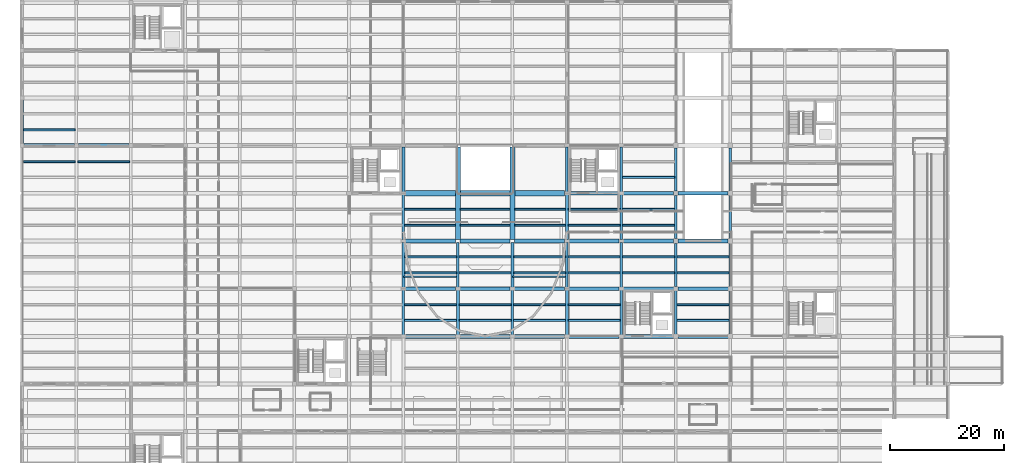
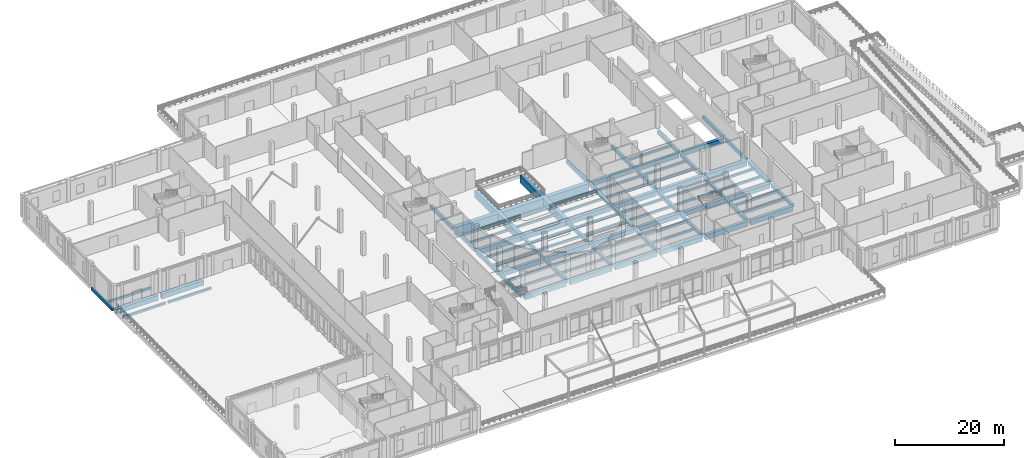
# One storey, part 29 of 71: 89 beams.
"""IFC4 building model written with IfcOpenShell, lengths in metres."""

import ifcopenshell
import ifcopenshell.guid

model = None  # the IFC model being written
_history = None  # IfcOwnerHistory: only IFC2X3 demands one
_inside = {}  # id of a spatial element -> (the spatial element, [elements in it])
_under = {}  # id of a project, library or spatial element -> (it, [spatial elements below it])
_declared = {}  # id of a project -> (the project, [libraries it declares])
_typed = {}  # id of a type object -> (the type object, [elements of that type])
_made_of = {}  # id of a material, layer set ... -> (it, [elements and type objects made of it])


def new_model(schema):
    """Start an empty IFC model of exactly this schema.

    Asked for "IFC4X3", IfcOpenShell would pick the latest addendum, in which some entities
    have other attributes; the version numbers below select the first issue.
    IFC2X3 requires an IfcOwnerHistory on every rooted entity: one is made here for all.
    """
    global model, _history
    if schema == "IFC4X3":
        model = ifcopenshell.file(schema_version=(4, 3, 0, 0))
    else:
        model = ifcopenshell.file(schema=schema)
    _inside.clear()
    _under.clear()
    _declared.clear()
    _typed.clear()
    _made_of.clear()
    _history = None
    if model.schema == "IFC2X3":
        org = make("IfcOrganization", Name="unknown")
        user = make(
            "IfcPersonAndOrganization",
            ThePerson=make("IfcPerson", FamilyName="unknown"),
            TheOrganization=org,
        )
        app = make(
            "IfcApplication",
            ApplicationDeveloper=org,
            Version="unknown",
            ApplicationFullName="unknown",
            ApplicationIdentifier="unknown",
        )
        _history = make(
            "IfcOwnerHistory",
            OwningUser=user,
            OwningApplication=app,
            ChangeAction="ADDED",
            CreationDate=0,
        )
    return model


def make(cls, **values):
    """One entity of the class cls with the attributes given. An attribute that is None is left unset."""
    return model.create_entity(
        cls, **{name: value for name, value in values.items() if value is not None}
    )


def rooted(cls, **values):
    """An entity with a GlobalId (a new one), such as an element, a storey or a relation."""
    return make(cls, GlobalId=ifcopenshell.guid.new(), OwnerHistory=_history, **values)


def si_unit(unit_type, name, prefix=None):
    """IfcSIUnit, for example si_unit("LENGTHUNIT", "METRE", prefix="MILLI")."""
    return make("IfcSIUnit", UnitType=unit_type, Prefix=prefix, Name=name)


def assignment(units):
    """IfcUnitAssignment: the units of a project."""
    return None if units is None else make("IfcUnitAssignment", Units=units)


def point(xyz):
    """IfcCartesianPoint."""
    return None if xyz is None else make("IfcCartesianPoint", Coordinates=xyz)


def direction(xyz):
    """IfcDirection."""
    return None if xyz is None else make("IfcDirection", DirectionRatios=xyz)


def frame(location, z_axis=None, x_axis=None):
    """IfcAxis2Placement3D, a coordinate frame: its origin and axes. An axis left out is left unset."""
    return make(
        "IfcAxis2Placement3D",
        Location=point(location),
        Axis=direction(z_axis),
        RefDirection=direction(x_axis),
    )


def frame_2d(location, x_axis=None):
    """IfcAxis2Placement2D, a coordinate frame in the plane: its origin and x axis."""
    return make(
        "IfcAxis2Placement2D", Location=point(location), RefDirection=direction(x_axis)
    )


def origin():
    """The frame at (0, 0, 0) with its axes left unset."""
    return frame((0.0, 0.0, 0.0))


def origin_2d():
    """The frame at (0, 0) in the plane with its x axis left unset."""
    return frame_2d((0.0, 0.0))


def place(relative_to, where):
    """IfcLocalPlacement: puts the frame where relative to a parent placement (None: the world)."""
    return make(
        "IfcLocalPlacement", PlacementRelTo=relative_to, RelativePlacement=where
    )


def context(
    kind, dimensions, precision=None, world=None, true_north=None, identifier=None
):
    """IfcGeometricRepresentationContext, for example the 3D "Model" context."""
    return make(
        "IfcGeometricRepresentationContext",
        ContextIdentifier=identifier,
        ContextType=kind,
        CoordinateSpaceDimension=dimensions,
        Precision=precision,
        WorldCoordinateSystem=world,
        TrueNorth=true_north,
    )


def subcontext(parent, identifier, kind, view, scale=None):
    """IfcGeometricRepresentationSubContext, for example "Body" below "Model"."""
    return make(
        "IfcGeometricRepresentationSubContext",
        ContextIdentifier=identifier,
        ContextType=kind,
        ParentContext=parent,
        TargetScale=scale,
        TargetView=view,
    )


def project(units=None, contexts=None):
    """IfcProject with its units and contexts."""
    return rooted(
        "IfcProject",
        Name="project",
        RepresentationContexts=contexts,
        UnitsInContext=assignment(units),
    )


def spatial(cls, under=None, at=None, **own):
    """A site, building, storey or space (cls), placed at a placement, below another one or the project."""
    s = rooted(cls, ObjectPlacement=at, **own)
    if under is not None:
        _under.setdefault(under.id(), (under, []))[1].append(s)
    return s


def profile(cls, at=None, kind="AREA", **sizes):
    """A parametric profile (cls). Its sizes go by their IFC names, for example OverallWidth=200.0."""
    return make(cls, ProfileType=kind, Position=at, **sizes)


def rectangle(**sizes):
    """IfcRectangleProfileDef."""
    return profile("IfcRectangleProfileDef", **sizes)


def i_section(**sizes):
    """IfcIShapeProfileDef."""
    return profile("IfcIShapeProfileDef", **sizes)


def extrude(swept, where, along, depth):
    """IfcExtrudedAreaSolid: the profile swept, set in the frame where, extruded along a direction by depth."""
    return make(
        "IfcExtrudedAreaSolid",
        SweptArea=swept,
        Position=where,
        ExtrudedDirection=direction(along),
        Depth=depth,
    )


def shape(context_of_items, identifier, shape_type, items):
    """IfcShapeRepresentation: the items that make up one representation, for example the "Body"."""
    return make(
        "IfcShapeRepresentation",
        ContextOfItems=context_of_items,
        RepresentationIdentifier=identifier,
        RepresentationType=shape_type,
        Items=items,
    )


def material(Name=None, Category=None):
    """IfcMaterial."""
    return make("IfcMaterial", Name=Name, Category=Category)


def material_profile(
    of_material, cross_section, Name=None, Category=None, Priority=None
):
    """IfcMaterialProfile: a cross section and its material."""
    return make(
        "IfcMaterialProfile",
        Name=Name,
        Material=of_material,
        Profile=cross_section,
        Priority=Priority,
        Category=Category,
    )


def profile_set(profiles, Name=None, composite=None):
    """IfcMaterialProfileSet."""
    return make(
        "IfcMaterialProfileSet",
        Name=Name,
        MaterialProfiles=profiles,
        CompositeProfile=composite,
    )


def made_of(thing, what):
    """Note that an element or type object is made of a material, layer set ...; save() writes the relation."""
    if what is not None:
        _made_of.setdefault(what.id(), (what, []))[1].append(thing)
    return thing


def type_object(cls, material=None, **own):
    """A type object (cls), such as IfcWallType, which elements share."""
    return made_of(rooted(cls, **own), material)


def element(
    cls,
    number,
    at=None,
    inside=None,
    cuts=None,
    type_object=None,
    material=None,
    context=None,
    identifier="Body",
    shape_type=None,
    held_by="IfcProductDefinitionShape",
    body=None,
    shapes=None,
    **own,
):
    """One element of the class cls, such as IfcWall. Its Tag is "e" and its number.

    at: its placement. inside: the storey or other place that contains it. cuts: it is an
    opening in that element (IfcRelVoidsElement). A single representation is given by context,
    identifier, shape_type and body (its items); several are given by shapes. held_by: the class
    of the entity that holds the representations. save() writes the other relations.
    """
    e = rooted(cls, Tag="e%d" % number, ObjectPlacement=at, **own)
    if body is not None:
        shapes = [shape(context, identifier, shape_type, body)]
    if shapes is not None:
        e.Representation = make(held_by, Representations=shapes)
    if inside is not None:
        _inside.setdefault(inside.id(), (inside, []))[1].append(e)
    if cuts is not None:
        rooted(
            "IfcRelVoidsElement", RelatingBuildingElement=cuts, RelatedOpeningElement=e
        )
    if type_object is not None:
        _typed.setdefault(type_object.id(), (type_object, []))[1].append(e)
    return made_of(e, material)


def aggregate(whole, parts):
    """IfcRelAggregates: a whole, such as a stair, and the parts it consists of."""
    return rooted("IfcRelAggregates", RelatingObject=whole, RelatedObjects=parts)


def save(model, path):
    """Write the relations noted so far, then the file.

    IfcRelAggregates (storeys below a building ...), IfcRelContainedInSpatialStructure (elements
    in a storey), IfcRelDefinesByType, IfcRelAssociatesMaterial and IfcRelDeclares: one each for
    every whole, place, type object, material and project.
    """
    for whole, parts in _under.values():
        aggregate(whole, parts)
    for where, things in _inside.values():
        rooted(
            "IfcRelContainedInSpatialStructure",
            RelatedElements=things,
            RelatingStructure=where,
        )
    for kind, things in _typed.values():
        rooted("IfcRelDefinesByType", RelatedObjects=things, RelatingType=kind)
    for what, things in _made_of.values():
        rooted("IfcRelAssociatesMaterial", RelatedObjects=things, RelatingMaterial=what)
    for by, libraries in _declared.values():
        rooted("IfcRelDeclares", RelatingContext=by, RelatedDefinitions=libraries)
    model.write(path)


model = new_model("IFC4")

# Units and contexts
model_context = context("Model", 3, precision=1e-05, world=origin(), true_north=direction((0.0, 1.0)))
body_context = subcontext(model_context, "Body", "Model", "MODEL_VIEW")
ifc_project = project(units=[si_unit("LENGTHUNIT", "METRE"), si_unit("AREAUNIT", "SQUARE_METRE"), si_unit("VOLUMEUNIT", "CUBIC_METRE"), si_unit("PLANEANGLEUNIT", "RADIAN"), si_unit("MASSUNIT", "GRAM", prefix="KILO")], contexts=[model_context])

# Site, building, storey
site_placement = place(None, origin())
site = spatial("IfcSite", under=ifc_project, at=site_placement, CompositionType="ELEMENT")
building_placement = place(site_placement, origin())
building = spatial("IfcBuilding", under=site, at=building_placement, Name="Lornevale Opera House", CompositionType="ELEMENT")
storey_placement = place(building_placement, origin())
storey = spatial("IfcBuildingStorey", under=building, at=storey_placement, Name="L01", CompositionType="ELEMENT", Elevation=0.0)

# Beams
ifc_material_1 = material(Name="Concrete 35 MPa (CSA A23.1 N)", Category="concrete")
ifc_material_profile_1 = material_profile(ifc_material_1, rectangle(XDim=0.449951171875, YDim=0.75, at=origin_2d()), Name="RC450x750")
ifc_profile_set_1 = profile_set([ifc_material_profile_1], Name="Concrete 35 MPa (CSA A23.1 N)")
beam_type_1 = type_object("IfcBeamType", Name="Concrete Floor Beam 450x750", PredefinedType="USERDEFINED", material=ifc_profile_set_1)
beam_1_placement = place(storey_placement, frame((67.199951171875, 33.85009765625, -0.81494140625), z_axis=(0.0, 1.0, 0.0), x_axis=(-1.0, 0.0, 0.0)))
element("IfcBeam", 1, at=beam_1_placement, inside=storey, type_object=beam_type_1, Name="Concrete Floor Beam 450x750 1163", ObjectType="GIRDER", PredefinedType="USERDEFINED", context=body_context, shape_type="SweptSolid", body=[
    extrude(rectangle(XDim=0.449951171875, YDim=0.75, at=origin_2d()), origin(), (0.0, 0.0, 1.0), 7.89990234375),
])
beam_2_placement = place(storey_placement, frame((67.199951171875, 50.64990234375, -0.81494140625), z_axis=(0.0, 1.0, 0.0), x_axis=(-1.0, 0.0, 0.0)))
element("IfcBeam", 2, at=beam_2_placement, inside=storey, type_object=beam_type_1, Name="Concrete Floor Beam 450x750 1165", ObjectType="GIRDER", PredefinedType="USERDEFINED", context=body_context, shape_type="SweptSolid", body=[
    extrude(rectangle(XDim=0.449951171875, YDim=0.75, at=origin_2d()), origin(), (0.0, 0.0, 1.0), 7.900146484375),
])
for number, where, z_axis, x_axis, name in (
    (3, (76.800048828125, 42.25, -0.81494140625), (0.0, 1.0, 0.0), (-1.0, 0.0, 0.0), "Concrete Floor Beam 450x750 1178"),
    (4, (86.39990234375, 33.85009765625, -0.81494140625), (0.0, 1.0, 0.0), (-1.0, 0.0, 0.0), "Concrete Floor Beam 450x750 1190"),
    (5, (96.0, 42.25, -0.81494140625), (0.0, 1.0, 0.0), (-1.0, 0.0, 0.0), "Concrete Floor Beam 450x750 1204"),
):
    element("IfcBeam", number, at=place(storey_placement, frame(where, z_axis=z_axis, x_axis=x_axis)), inside=storey, type_object=beam_type_1, Name=name, ObjectType="GIRDER", PredefinedType="USERDEFINED", context=body_context, shape_type="SweptSolid", body=[
        extrude(rectangle(XDim=0.449951171875, YDim=0.75, at=origin_2d()), origin(), (0.0, 0.0, 1.0), 7.89990234375),
    ])
beam_3_placement = place(storey_placement, frame((96.0, 59.050048828125, -0.81494140625), z_axis=(0.0, 1.0, 0.0), x_axis=(-1.0, 0.0, 0.0)))
element("IfcBeam", 6, at=beam_3_placement, inside=storey, type_object=beam_type_1, Name="Concrete Floor Beam 450x750 1206", ObjectType="GIRDER", PredefinedType="USERDEFINED", context=body_context, shape_type="SweptSolid", body=[
    extrude(rectangle(XDim=0.449951171875, YDim=0.75, at=origin_2d()), origin(), (0.0, 0.0, 1.0), 7.949951171875),
])
beam_4_placement = place(storey_placement, frame((105.60009765625, 33.85009765625, -0.81494140625), z_axis=(0.0, 1.0, 0.0), x_axis=(-1.0, 0.0, 0.0)))
element("IfcBeam", 7, at=beam_4_placement, inside=storey, type_object=beam_type_1, Name="Concrete Floor Beam 450x750 1217", ObjectType="GIRDER", PredefinedType="USERDEFINED", context=body_context, shape_type="SweptSolid", body=[
    extrude(rectangle(XDim=0.449951171875, YDim=0.75, at=origin_2d()), origin(), (0.0, 0.0, 1.0), 7.89990234375),
])
beam_5_placement = place(storey_placement, frame((105.60009765625, 50.64990234375, -0.81494140625), z_axis=(0.0, 1.0, 0.0), x_axis=(-1.0, 0.0, 0.0)))
element("IfcBeam", 8, at=beam_5_placement, inside=storey, type_object=beam_type_1, Name="Concrete Floor Beam 450x750 1219", ObjectType="GIRDER", PredefinedType="USERDEFINED", context=body_context, shape_type="SweptSolid", body=[
    extrude(rectangle(XDim=0.449951171875, YDim=0.75, at=origin_2d()), origin(), (0.0, 0.0, 1.0), 7.900146484375),
])
beam_6_placement = place(storey_placement, frame((115.199951171875, 42.35009765625, -0.81494140625), z_axis=(0.0, 1.0, 0.0), x_axis=(-1.0, 0.0, 0.0)))
element("IfcBeam", 9, at=beam_6_placement, inside=storey, type_object=beam_type_1, Name="Concrete Floor Beam 450x750 1232", ObjectType="GIRDER", PredefinedType="USERDEFINED", context=body_context, shape_type="SweptSolid", body=[
    extrude(rectangle(XDim=0.449951171875, YDim=0.75, at=origin_2d()), origin(), (0.0, 0.0, 1.0), 7.64990234375),
])
beam_7_placement = place(storey_placement, frame((115.199951171875, 59.199951171875, -0.81494140625), z_axis=(0.0, 1.0, 0.0), x_axis=(-1.0, 0.0, 0.0)))
element("IfcBeam", 10, at=beam_7_placement, inside=storey, type_object=beam_type_1, Name="Concrete Floor Beam 450x750 1234", ObjectType="GIRDER", PredefinedType="USERDEFINED", context=body_context, shape_type="SweptSolid", body=[
    extrude(rectangle(XDim=0.449951171875, YDim=0.75, at=origin_2d()), origin(), (0.0, 0.0, 1.0), 7.60009765625),
])
beam_8_placement = place(storey_placement, frame((124.800048828125, 33.949951171875, -0.81494140625), z_axis=(0.0, 1.0, 0.0), x_axis=(-1.0, 0.0, 0.0)))
element("IfcBeam", 11, at=beam_8_placement, inside=storey, type_object=beam_type_1, Name="Concrete Floor Beam 450x750 1245", ObjectType="GIRDER", PredefinedType="USERDEFINED", context=body_context, shape_type="SweptSolid", body=[
    extrude(rectangle(XDim=0.449951171875, YDim=0.75, at=origin_2d()), origin(), (0.0, 0.0, 1.0), 7.699951171875),
])
beam_9_placement = place(storey_placement, frame((124.800048828125, 50.800048828125, -0.81494140625), z_axis=(0.0, 1.0, 0.0), x_axis=(-1.0, 0.0, 0.0)))
element("IfcBeam", 12, at=beam_9_placement, inside=storey, type_object=beam_type_1, Name="Concrete Floor Beam 450x750 1247", ObjectType="GIRDER", PredefinedType="USERDEFINED", context=body_context, shape_type="SweptSolid", body=[
    extrude(rectangle(XDim=0.449951171875, YDim=0.75, at=origin_2d()), origin(), (0.0, 0.0, 1.0), 7.599853515625),
])
ifc_material_profile_2 = material_profile(ifc_material_1, rectangle(XDim=0.5, YDim=0.800048828125, at=origin_2d()), Name="RC500x800")
ifc_profile_set_2 = profile_set([ifc_material_profile_2], Name="Concrete 35 MPa (CSA A23.1 N)")
beam_type_2 = type_object("IfcBeamType", Name="Concrete Floor Beam 500x800", PredefinedType="USERDEFINED", material=ifc_profile_set_2)
beam_10_placement = place(storey_placement, frame((67.199951171875, 42.25, -0.840087890625), z_axis=(0.0, 1.0, 0.0), x_axis=(-1.0, 0.0, 0.0)))
element("IfcBeam", 13, at=beam_10_placement, inside=storey, type_object=beam_type_2, Name="Concrete Floor Beam 500x800 1164", ObjectType="GIRDER", PredefinedType="USERDEFINED", context=body_context, shape_type="SweptSolid", body=[
    extrude(rectangle(XDim=0.5, YDim=0.800048828125, at=origin_2d()), origin(), (0.0, 0.0, 1.0), 7.89990234375),
])
beam_11_placement = place(storey_placement, frame((67.199951171875, 59.050048828125, -0.840087890625), z_axis=(0.0, 1.0, 0.0), x_axis=(-1.0, 0.0, 0.0)))
element("IfcBeam", 14, at=beam_11_placement, inside=storey, type_object=beam_type_2, Name="Concrete Floor Beam 500x800 1166", ObjectType="GIRDER", PredefinedType="USERDEFINED", context=body_context, shape_type="SweptSolid", body=[
    extrude(rectangle(XDim=0.5, YDim=0.800048828125, at=origin_2d()), origin(), (0.0, 0.0, 1.0), 7.949951171875),
])
for number, where, z_axis, x_axis, name in (
    (15, (76.800048828125, 33.85009765625, -0.840087890625), (0.0, 1.0, 0.0), (-1.0, 0.0, 0.0), "Concrete Floor Beam 500x800 1177"),
    (16, (86.39990234375, 42.25, -0.840087890625), (0.0, 1.0, 0.0), (-1.0, 0.0, 0.0), "Concrete Floor Beam 500x800 1191"),
    (17, (96.0, 33.85009765625, -0.840087890625), (0.0, 1.0, 0.0), (-1.0, 0.0, 0.0), "Concrete Floor Beam 500x800 1203"),
):
    element("IfcBeam", number, at=place(storey_placement, frame(where, z_axis=z_axis, x_axis=x_axis)), inside=storey, type_object=beam_type_2, Name=name, ObjectType="GIRDER", PredefinedType="USERDEFINED", context=body_context, shape_type="SweptSolid", body=[
        extrude(rectangle(XDim=0.5, YDim=0.800048828125, at=origin_2d()), origin(), (0.0, 0.0, 1.0), 7.89990234375),
    ])
beam_12_placement = place(storey_placement, frame((96.0, 50.64990234375, -0.840087890625), z_axis=(0.0, 1.0, 0.0), x_axis=(-1.0, 0.0, 0.0)))
element("IfcBeam", 18, at=beam_12_placement, inside=storey, type_object=beam_type_2, Name="Concrete Floor Beam 500x800 1205", ObjectType="GIRDER", PredefinedType="USERDEFINED", context=body_context, shape_type="SweptSolid", body=[
    extrude(rectangle(XDim=0.5, YDim=0.800048828125, at=origin_2d()), origin(), (0.0, 0.0, 1.0), 7.900146484375),
])
beam_13_placement = place(storey_placement, frame((105.60009765625, 42.25, -0.840087890625), z_axis=(0.0, 1.0, 0.0), x_axis=(-1.0, 0.0, 0.0)))
element("IfcBeam", 19, at=beam_13_placement, inside=storey, type_object=beam_type_2, Name="Concrete Floor Beam 500x800 1218", ObjectType="GIRDER", PredefinedType="USERDEFINED", context=body_context, shape_type="SweptSolid", body=[
    extrude(rectangle(XDim=0.5, YDim=0.800048828125, at=origin_2d()), origin(), (0.0, 0.0, 1.0), 7.89990234375),
])
beam_14_placement = place(storey_placement, frame((105.60009765625, 59.050048828125, -0.840087890625), z_axis=(0.0, 1.0, 0.0), x_axis=(-1.0, 0.0, 0.0)))
element("IfcBeam", 20, at=beam_14_placement, inside=storey, type_object=beam_type_2, Name="Concrete Floor Beam 500x800 1220", ObjectType="GIRDER", PredefinedType="USERDEFINED", context=body_context, shape_type="SweptSolid", body=[
    extrude(rectangle(XDim=0.5, YDim=0.800048828125, at=origin_2d()), origin(), (0.0, 0.0, 1.0), 7.949951171875),
])
beam_15_placement = place(storey_placement, frame((115.199951171875, 33.949951171875, -0.840087890625), z_axis=(0.0, 1.0, 0.0), x_axis=(-1.0, 0.0, 0.0)))
element("IfcBeam", 21, at=beam_15_placement, inside=storey, type_object=beam_type_2, Name="Concrete Floor Beam 500x800 1231", ObjectType="GIRDER", PredefinedType="USERDEFINED", context=body_context, shape_type="SweptSolid", body=[
    extrude(rectangle(XDim=0.5, YDim=0.800048828125, at=origin_2d()), origin(), (0.0, 0.0, 1.0), 7.699951171875),
])
beam_16_placement = place(storey_placement, frame((115.199951171875, 50.800048828125, -0.840087890625), z_axis=(0.0, 1.0, 0.0), x_axis=(-1.0, 0.0, 0.0)))
element("IfcBeam", 22, at=beam_16_placement, inside=storey, type_object=beam_type_2, Name="Concrete Floor Beam 500x800 1233", ObjectType="GIRDER", PredefinedType="USERDEFINED", context=body_context, shape_type="SweptSolid", body=[
    extrude(rectangle(XDim=0.5, YDim=0.800048828125, at=origin_2d()), origin(), (0.0, 0.0, 1.0), 7.599853515625),
])
beam_17_placement = place(storey_placement, frame((124.800048828125, 42.35009765625, -0.840087890625), z_axis=(0.0, 1.0, 0.0), x_axis=(-1.0, 0.0, 0.0)))
element("IfcBeam", 23, at=beam_17_placement, inside=storey, type_object=beam_type_2, Name="Concrete Floor Beam 500x800 1246", ObjectType="GIRDER", PredefinedType="USERDEFINED", context=body_context, shape_type="SweptSolid", body=[
    extrude(rectangle(XDim=0.5, YDim=0.800048828125, at=origin_2d()), origin(), (0.0, 0.0, 1.0), 7.64990234375),
])
beam_18_placement = place(storey_placement, frame((124.800048828125, 59.199951171875, -0.840087890625), z_axis=(0.0, 1.0, 0.0), x_axis=(-1.0, 0.0, 0.0)))
element("IfcBeam", 24, at=beam_18_placement, inside=storey, type_object=beam_type_2, Name="Concrete Floor Beam 500x800 1248", ObjectType="GIRDER", PredefinedType="USERDEFINED", context=body_context, shape_type="SweptSolid", body=[
    extrude(rectangle(XDim=0.5, YDim=0.800048828125, at=origin_2d()), origin(), (0.0, 0.0, 1.0), 7.60009765625),
])
ifc_material_2 = material(Name="Concrete 40 MPa (CSA A23.1 C-1)", Category="concrete")
ifc_material_profile_3 = material_profile(ifc_material_2, rectangle(XDim=0.64990234375, YDim=1.0, at=origin_2d()), Name="RC650x1000")
ifc_profile_set_3 = profile_set([ifc_material_profile_3], Name="Concrete 40 MPa (CSA A23.1 C-1)")
beam_type_3 = type_object("IfcBeamType", Name="Concrete Primary Girder 650x1000", PredefinedType="USERDEFINED", material=ifc_profile_set_3)
beam_19_placement = place(storey_placement, frame((67.60009765625, 42.0, -0.93994140625), z_axis=(1.0, 0.0, 0.0), x_axis=(0.0, 1.0, 0.0)))
element("IfcBeam", 25, at=beam_19_placement, inside=storey, type_object=beam_type_3, Name="Concrete Primary Girder 650x1000 0932", ObjectType="GIRDER", PredefinedType="USERDEFINED", context=body_context, shape_type="SweptSolid", body=[
    extrude(rectangle(XDim=0.64990234375, YDim=1.0, at=origin_2d()), origin(), (0.0, 0.0, 1.0), 8.7998046875),
])
for number, where, z_axis, x_axis, name in (
    (26, (77.199951171875, 42.0, -0.93994140625), (1.0, 0.0, 0.0), (0.0, 1.0, 0.0), "Concrete Primary Girder 650x1000 0933"),
    (27, (86.800048828125, 42.0, -0.93994140625), (1.0, 0.0, 0.0), (0.0, 1.0, 0.0), "Concrete Primary Girder 650x1000 0934"),
    (28, (96.39990234375, 42.0, -0.93994140625), (1.0, 0.0, 0.0), (0.0, 1.0, 0.0), "Concrete Primary Girder 650x1000 0935"),
):
    element("IfcBeam", number, at=place(storey_placement, frame(where, z_axis=z_axis, x_axis=x_axis)), inside=storey, type_object=beam_type_3, Name=name, ObjectType="GIRDER", PredefinedType="USERDEFINED", context=body_context, shape_type="SweptSolid", body=[
        extrude(rectangle(XDim=0.64990234375, YDim=1.0, at=origin_2d()), origin(), (0.0, 0.0, 1.0), 8.800048828125),
    ])
beam_20_placement = place(storey_placement, frame((106.0, 42.0, -0.93994140625), z_axis=(1.0, 0.0, 0.0), x_axis=(0.0, 1.0, 0.0)))
element("IfcBeam", 29, at=beam_20_placement, inside=storey, type_object=beam_type_3, Name="Concrete Primary Girder 650x1000 0936", ObjectType="GIRDER", PredefinedType="USERDEFINED", context=body_context, shape_type="SweptSolid", body=[
    extrude(rectangle(XDim=0.64990234375, YDim=1.0, at=origin_2d()), origin(), (0.0, 0.0, 1.0), 8.85009765625),
])
beam_21_placement = place(storey_placement, frame((115.550048828125, 42.0, -0.93994140625), z_axis=(1.0, 0.0, 0.0), x_axis=(0.0, 1.0, 0.0)))
element("IfcBeam", 30, at=beam_21_placement, inside=storey, type_object=beam_type_3, Name="Concrete Primary Girder 650x1000 0937", ObjectType="GIRDER", PredefinedType="USERDEFINED", context=body_context, shape_type="SweptSolid", body=[
    extrude(rectangle(XDim=0.64990234375, YDim=1.0, at=origin_2d()), origin(), (0.0, 0.0, 1.0), 8.89990234375),
])
for number, where, z_axis, x_axis, name in (
    (31, (96.39990234375, 58.800048828125, -0.93994140625), (1.0, 0.0, 0.0), (0.0, 1.0, 0.0), "Concrete Primary Girder 650x1000 0967"),
    (32, (106.0, 58.800048828125, -0.93994140625), (1.0, 0.0, 0.0), (0.0, 1.0, 0.0), "Concrete Primary Girder 650x1000 0968"),
):
    element("IfcBeam", number, at=place(storey_placement, frame(where, z_axis=z_axis, x_axis=x_axis)), inside=storey, type_object=beam_type_3, Name=name, ObjectType="GIRDER", PredefinedType="USERDEFINED", context=body_context, shape_type="SweptSolid", body=[
        extrude(rectangle(XDim=0.64990234375, YDim=1.0, at=origin_2d()), origin(), (0.0, 0.0, 1.0), 8.800048828125),
    ])
beam_22_placement = place(storey_placement, frame((115.60009765625, 58.800048828125, -0.93994140625), z_axis=(1.0, 0.0, 0.0), x_axis=(0.0, 1.0, 0.0)))
element("IfcBeam", 33, at=beam_22_placement, inside=storey, type_object=beam_type_3, Name="Concrete Primary Girder 650x1000 0969", ObjectType="GIRDER", PredefinedType="USERDEFINED", context=body_context, shape_type="SweptSolid", body=[
    extrude(rectangle(XDim=0.64990234375, YDim=1.0, at=origin_2d()), origin(), (0.0, 0.0, 1.0), 8.7998046875),
])
ifc_material_profile_4 = material_profile(ifc_material_2, rectangle(XDim=0.699951171875, YDim=1.10009765625, at=origin_2d()), Name="RC700x1100")
ifc_profile_set_4 = profile_set([ifc_material_profile_4], Name="Concrete 40 MPa (CSA A23.1 C-1)")
beam_type_4 = type_object("IfcBeamType", Name="Concrete Primary Girder 700x1100", PredefinedType="USERDEFINED", material=ifc_profile_set_4)
beam_23_placement = place(storey_placement, frame((67.60009765625, 33.60009765625, -0.989990234375), z_axis=(1.0, 0.0, 0.0), x_axis=(0.0, 1.0, 0.0)))
element("IfcBeam", 34, at=beam_23_placement, inside=storey, type_object=beam_type_4, Name="Concrete Primary Girder 700x1100 0914", ObjectType="GIRDER", PredefinedType="USERDEFINED", context=body_context, shape_type="SweptSolid", body=[
    extrude(rectangle(XDim=0.699951171875, YDim=1.10009765625, at=origin_2d()), origin(), (0.0, 0.0, 1.0), 8.7998046875),
])
for number, where, z_axis, x_axis, name in (
    (35, (77.199951171875, 33.60009765625, -0.989990234375), (1.0, 0.0, 0.0), (0.0, 1.0, 0.0), "Concrete Primary Girder 700x1100 0915"),
    (36, (86.800048828125, 33.60009765625, -0.989990234375), (1.0, 0.0, 0.0), (0.0, 1.0, 0.0), "Concrete Primary Girder 700x1100 0916"),
    (37, (96.39990234375, 33.60009765625, -0.989990234375), (1.0, 0.0, 0.0), (0.0, 1.0, 0.0), "Concrete Primary Girder 700x1100 0917"),
):
    element("IfcBeam", number, at=place(storey_placement, frame(where, z_axis=z_axis, x_axis=x_axis)), inside=storey, type_object=beam_type_4, Name=name, ObjectType="GIRDER", PredefinedType="USERDEFINED", context=body_context, shape_type="SweptSolid", body=[
        extrude(rectangle(XDim=0.699951171875, YDim=1.10009765625, at=origin_2d()), origin(), (0.0, 0.0, 1.0), 8.800048828125),
    ])
beam_24_placement = place(storey_placement, frame((106.0, 33.60009765625, -0.989990234375), z_axis=(1.0, 0.0, 0.0), x_axis=(0.0, 1.0, 0.0)))
element("IfcBeam", 38, at=beam_24_placement, inside=storey, type_object=beam_type_4, Name="Concrete Primary Girder 700x1100 0918", ObjectType="GIRDER", PredefinedType="USERDEFINED", context=body_context, shape_type="SweptSolid", body=[
    extrude(rectangle(XDim=0.699951171875, YDim=1.10009765625, at=origin_2d()), origin(), (0.0, 0.0, 1.0), 8.85009765625),
])
beam_25_placement = place(storey_placement, frame((115.550048828125, 33.60009765625, -0.989990234375), z_axis=(1.0, 0.0, 0.0), x_axis=(0.0, 1.0, 0.0)))
element("IfcBeam", 39, at=beam_25_placement, inside=storey, type_object=beam_type_4, Name="Concrete Primary Girder 700x1100 0919", ObjectType="GIRDER", PredefinedType="USERDEFINED", context=body_context, shape_type="SweptSolid", body=[
    extrude(rectangle(XDim=0.699951171875, YDim=1.10009765625, at=origin_2d()), origin(), (0.0, 0.0, 1.0), 8.89990234375),
])
beam_26_placement = place(storey_placement, frame((67.60009765625, 50.39990234375, -0.989990234375), z_axis=(1.0, 0.0, 0.0), x_axis=(0.0, 1.0, 0.0)))
element("IfcBeam", 40, at=beam_26_placement, inside=storey, type_object=beam_type_4, Name="Concrete Primary Girder 700x1100 0949", ObjectType="GIRDER", PredefinedType="USERDEFINED", context=body_context, shape_type="SweptSolid", body=[
    extrude(rectangle(XDim=0.699951171875, YDim=1.10009765625, at=origin_2d()), origin(), (0.0, 0.0, 1.0), 8.7998046875),
])
for number, where, z_axis, x_axis, name in (
    (41, (77.199951171875, 50.39990234375, -0.989990234375), (1.0, 0.0, 0.0), (0.0, 1.0, 0.0), "Concrete Primary Girder 700x1100 0950"),
    (42, (86.800048828125, 50.39990234375, -0.989990234375), (1.0, 0.0, 0.0), (0.0, 1.0, 0.0), "Concrete Primary Girder 700x1100 0951"),
    (43, (96.39990234375, 50.39990234375, -0.989990234375), (1.0, 0.0, 0.0), (0.0, 1.0, 0.0), "Concrete Primary Girder 700x1100 0952"),
    (44, (106.0, 50.39990234375, -0.989990234375), (1.0, 0.0, 0.0), (0.0, 1.0, 0.0), "Concrete Primary Girder 700x1100 0953"),
):
    element("IfcBeam", number, at=place(storey_placement, frame(where, z_axis=z_axis, x_axis=x_axis)), inside=storey, type_object=beam_type_4, Name=name, ObjectType="GIRDER", PredefinedType="USERDEFINED", context=body_context, shape_type="SweptSolid", body=[
        extrude(rectangle(XDim=0.699951171875, YDim=1.10009765625, at=origin_2d()), origin(), (0.0, 0.0, 1.0), 8.800048828125),
    ])
beam_27_placement = place(storey_placement, frame((115.60009765625, 50.39990234375, -0.989990234375), z_axis=(1.0, 0.0, 0.0), x_axis=(0.0, 1.0, 0.0)))
element("IfcBeam", 45, at=beam_27_placement, inside=storey, type_object=beam_type_4, Name="Concrete Primary Girder 700x1100 0954", ObjectType="GIRDER", PredefinedType="USERDEFINED", context=body_context, shape_type="SweptSolid", body=[
    extrude(rectangle(XDim=0.699951171875, YDim=1.10009765625, at=origin_2d()), origin(), (0.0, 0.0, 1.0), 8.7998046875),
])
for number, where, z_axis, x_axis, name in (
    (46, (0.324951171875, 67.199951171875, -0.989990234375), (1.0, 0.0, 0.0), (0.0, 1.0, 0.0), "Concrete Primary Girder 700x1100 0974"),
    (47, (9.925048828125, 67.199951171875, -0.989990234375), (1.0, 0.0, 0.0), (0.0, 1.0, 0.0), "Concrete Primary Girder 700x1100 0975"),
):
    element("IfcBeam", number, at=place(storey_placement, frame(where, z_axis=z_axis, x_axis=x_axis)), inside=storey, type_object=beam_type_4, Name=name, ObjectType="GIRDER", PredefinedType="USERDEFINED", context=body_context, shape_type="SweptSolid", body=[
        extrude(rectangle(XDim=0.699951171875, YDim=1.10009765625, at=origin_2d()), origin(), (0.0, 0.0, 1.0), 8.949951171875),
    ])
ifc_material_profile_5 = material_profile(ifc_material_1, rectangle(XDim=0.35009765625, YDim=0.5, at=origin_2d()), Name="RC350x500")
ifc_profile_set_5 = profile_set([ifc_material_profile_5], Name="Concrete 35 MPa (CSA A23.1 N)")
beam_type_5 = type_object("IfcBeamType", Name="Concrete Secondary Rib 350x500", PredefinedType="JOIST", material=ifc_profile_set_5)
beam_28_placement = place(storey_placement, frame((0.22509765625, 64.39990234375, -0.68994140625), z_axis=(1.0, 0.0, 0.0), x_axis=(0.0, 1.0, 0.0)))
element("IfcBeam", 48, at=beam_28_placement, inside=storey, type_object=beam_type_5, Name="Concrete Secondary Rib 350x500 1306", PredefinedType="JOIST", context=body_context, shape_type="SweptSolid", body=[
    extrude(rectangle(XDim=0.35009765625, YDim=0.5, at=origin_2d()), origin(), (0.0, 0.0, 1.0), 9.125),
])
beam_29_placement = place(storey_placement, frame((0.22509765625, 70.0, -0.68994140625), z_axis=(1.0, 0.0, 0.0), x_axis=(0.0, 1.0, 0.0)))
element("IfcBeam", 49, at=beam_29_placement, inside=storey, type_object=beam_type_5, Name="Concrete Secondary Rib 350x500 1307", PredefinedType="JOIST", context=body_context, shape_type="SweptSolid", body=[
    extrude(rectangle(XDim=0.35009765625, YDim=0.5, at=origin_2d()), origin(), (0.0, 0.0, 1.0), 9.14990234375),
])
for number, where, z_axis, x_axis, name in (
    (50, (9.85009765625, 64.39990234375, -0.68994140625), (1.0, 0.0, 0.0), (0.0, 1.0, 0.0), "Concrete Secondary Rib 350x500 1330"),
    (51, (67.425048828125, 36.39990234375, -0.68994140625), (1.0, 0.0, 0.0), (0.0, 1.0, 0.0), "Concrete Secondary Rib 350x500 1469"),
    (52, (67.425048828125, 39.199951171875, -0.68994140625), (1.0, 0.0, 0.0), (0.0, 1.0, 0.0), "Concrete Secondary Rib 350x500 1470"),
    (53, (67.449951171875, 44.800048828125, -0.68994140625), (1.0, 0.0, 0.0), (0.0, 1.0, 0.0), "Concrete Secondary Rib 350x500 1471"),
    (54, (67.449951171875, 47.60009765625, -0.68994140625), (1.0, 0.0, 0.0), (0.0, 1.0, 0.0), "Concrete Secondary Rib 350x500 1472"),
):
    element("IfcBeam", number, at=place(storey_placement, frame(where, z_axis=z_axis, x_axis=x_axis)), inside=storey, type_object=beam_type_5, Name=name, PredefinedType="JOIST", context=body_context, shape_type="SweptSolid", body=[
        extrude(rectangle(XDim=0.35009765625, YDim=0.5, at=origin_2d()), origin(), (0.0, 0.0, 1.0), 9.125),
    ])
for number, where, z_axis, x_axis, name in (
    (55, (67.425048828125, 53.199951171875, -0.68994140625), (1.0, 0.0, 0.0), (0.0, 1.0, 0.0), "Concrete Secondary Rib 350x500 1473"),
    (56, (67.425048828125, 56.0, -0.68994140625), (1.0, 0.0, 0.0), (0.0, 1.0, 0.0), "Concrete Secondary Rib 350x500 1474"),
):
    element("IfcBeam", number, at=place(storey_placement, frame(where, z_axis=z_axis, x_axis=x_axis)), inside=storey, type_object=beam_type_5, Name=name, PredefinedType="JOIST", context=body_context, shape_type="SweptSolid", body=[
        extrude(rectangle(XDim=0.35009765625, YDim=0.5, at=origin_2d()), origin(), (0.0, 0.0, 1.0), 8.949951171875),
    ])
for number, where, z_axis, x_axis, name in (
    (57, (77.050048828125, 36.39990234375, -0.68994140625), (1.0, 0.0, 0.0), (0.0, 1.0, 0.0), "Concrete Secondary Rib 350x500 1495"),
    (58, (77.050048828125, 39.199951171875, -0.68994140625), (1.0, 0.0, 0.0), (0.0, 1.0, 0.0), "Concrete Secondary Rib 350x500 1496"),
    (59, (77.02490234375, 44.800048828125, -0.68994140625), (1.0, 0.0, 0.0), (0.0, 1.0, 0.0), "Concrete Secondary Rib 350x500 1497"),
    (60, (77.02490234375, 47.60009765625, -0.68994140625), (1.0, 0.0, 0.0), (0.0, 1.0, 0.0), "Concrete Secondary Rib 350x500 1498"),
):
    element("IfcBeam", number, at=place(storey_placement, frame(where, z_axis=z_axis, x_axis=x_axis)), inside=storey, type_object=beam_type_5, Name=name, PredefinedType="JOIST", context=body_context, shape_type="SweptSolid", body=[
        extrude(rectangle(XDim=0.35009765625, YDim=0.5, at=origin_2d()), origin(), (0.0, 0.0, 1.0), 9.125),
    ])
for number, where, z_axis, x_axis, name in (
    (61, (77.22509765625, 53.199951171875, -0.68994140625), (1.0, 0.0, 0.0), (0.0, 1.0, 0.0), "Concrete Secondary Rib 350x500 1499"),
    (62, (77.22509765625, 56.0, -0.68994140625), (1.0, 0.0, 0.0), (0.0, 1.0, 0.0), "Concrete Secondary Rib 350x500 1500"),
):
    element("IfcBeam", number, at=place(storey_placement, frame(where, z_axis=z_axis, x_axis=x_axis)), inside=storey, type_object=beam_type_5, Name=name, PredefinedType="JOIST", context=body_context, shape_type="SweptSolid", body=[
        extrude(rectangle(XDim=0.35009765625, YDim=0.5, at=origin_2d()), origin(), (0.0, 0.0, 1.0), 8.75),
    ])
for number, where, z_axis, x_axis, name in (
    (63, (86.625, 36.39990234375, -0.68994140625), (1.0, 0.0, 0.0), (0.0, 1.0, 0.0), "Concrete Secondary Rib 350x500 1521"),
    (64, (86.625, 39.199951171875, -0.68994140625), (1.0, 0.0, 0.0), (0.0, 1.0, 0.0), "Concrete Secondary Rib 350x500 1522"),
    (65, (86.64990234375, 44.800048828125, -0.68994140625), (1.0, 0.0, 0.0), (0.0, 1.0, 0.0), "Concrete Secondary Rib 350x500 1523"),
    (66, (86.64990234375, 47.60009765625, -0.68994140625), (1.0, 0.0, 0.0), (0.0, 1.0, 0.0), "Concrete Secondary Rib 350x500 1524"),
):
    element("IfcBeam", number, at=place(storey_placement, frame(where, z_axis=z_axis, x_axis=x_axis)), inside=storey, type_object=beam_type_5, Name=name, PredefinedType="JOIST", context=body_context, shape_type="SweptSolid", body=[
        extrude(rectangle(XDim=0.35009765625, YDim=0.5, at=origin_2d()), origin(), (0.0, 0.0, 1.0), 9.125),
    ])
for number, where, z_axis, x_axis, name in (
    (67, (86.824951171875, 53.199951171875, -0.68994140625), (1.0, 0.0, 0.0), (0.0, 1.0, 0.0), "Concrete Secondary Rib 350x500 1525"),
    (68, (86.824951171875, 56.0, -0.68994140625), (1.0, 0.0, 0.0), (0.0, 1.0, 0.0), "Concrete Secondary Rib 350x500 1526"),
):
    element("IfcBeam", number, at=place(storey_placement, frame(where, z_axis=z_axis, x_axis=x_axis)), inside=storey, type_object=beam_type_5, Name=name, PredefinedType="JOIST", context=body_context, shape_type="SweptSolid", body=[
        extrude(rectangle(XDim=0.35009765625, YDim=0.5, at=origin_2d()), origin(), (0.0, 0.0, 1.0), 8.925048828125),
    ])
for number, where, z_axis, x_axis, name in (
    (69, (96.25, 36.39990234375, -0.68994140625), (1.0, 0.0, 0.0), (0.0, 1.0, 0.0), "Concrete Secondary Rib 350x500 1547"),
    (70, (96.25, 39.199951171875, -0.68994140625), (1.0, 0.0, 0.0), (0.0, 1.0, 0.0), "Concrete Secondary Rib 350x500 1548"),
    (71, (96.22509765625, 44.800048828125, -0.68994140625), (1.0, 0.0, 0.0), (0.0, 1.0, 0.0), "Concrete Secondary Rib 350x500 1549"),
    (72, (96.22509765625, 47.60009765625, -0.68994140625), (1.0, 0.0, 0.0), (0.0, 1.0, 0.0), "Concrete Secondary Rib 350x500 1550"),
    (73, (96.25, 53.199951171875, -0.68994140625), (1.0, 0.0, 0.0), (0.0, 1.0, 0.0), "Concrete Secondary Rib 350x500 1551"),
    (74, (96.25, 56.0, -0.68994140625), (1.0, 0.0, 0.0), (0.0, 1.0, 0.0), "Concrete Secondary Rib 350x500 1552"),
    (75, (105.85009765625, 44.800048828125, -0.68994140625), (1.0, 0.0, 0.0), (0.0, 1.0, 0.0), "Concrete Secondary Rib 350x500 1573"),
    (76, (105.85009765625, 47.60009765625, -0.68994140625), (1.0, 0.0, 0.0), (0.0, 1.0, 0.0), "Concrete Secondary Rib 350x500 1574"),
    (77, (105.824951171875, 53.199951171875, -0.68994140625), (1.0, 0.0, 0.0), (0.0, 1.0, 0.0), "Concrete Secondary Rib 350x500 1575"),
    (78, (105.824951171875, 56.0, -0.68994140625), (1.0, 0.0, 0.0), (0.0, 1.0, 0.0), "Concrete Secondary Rib 350x500 1576"),
    (79, (105.85009765625, 61.60009765625, -0.68994140625), (1.0, 0.0, 0.0), (0.0, 1.0, 0.0), "Concrete Secondary Rib 350x500 1577"),
    (80, (115.449951171875, 36.39990234375, -0.68994140625), (1.0, 0.0, 0.0), (0.0, 1.0, 0.0), "Concrete Secondary Rib 350x500 1599"),
    (81, (115.449951171875, 39.199951171875, -0.68994140625), (1.0, 0.0, 0.0), (0.0, 1.0, 0.0), "Concrete Secondary Rib 350x500 1600"),
    (82, (115.425048828125, 44.800048828125, -0.68994140625), (1.0, 0.0, 0.0), (0.0, 1.0, 0.0), "Concrete Secondary Rib 350x500 1601"),
    (83, (115.425048828125, 47.60009765625, -0.68994140625), (1.0, 0.0, 0.0), (0.0, 1.0, 0.0), "Concrete Secondary Rib 350x500 1602"),
):
    element("IfcBeam", number, at=place(storey_placement, frame(where, z_axis=z_axis, x_axis=x_axis)), inside=storey, type_object=beam_type_5, Name=name, PredefinedType="JOIST", context=body_context, shape_type="SweptSolid", body=[
        extrude(rectangle(XDim=0.35009765625, YDim=0.5, at=origin_2d()), origin(), (0.0, 0.0, 1.0), 9.125),
    ])
ifc_material_profile_6 = material_profile(ifc_material_1, rectangle(XDim=0.449951171875, YDim=0.64990234375, at=origin_2d()), Name="RC450x650")
ifc_profile_set_6 = profile_set([ifc_material_profile_6], Name="Concrete 35 MPa (CSA A23.1 N)")
beam_type_6 = type_object("IfcBeamType", Name="Concrete Spandrel Beam 450x650", PredefinedType="SPANDREL", material=ifc_profile_set_6)
beam_30_placement = place(storey_placement, frame((0.0, 67.52490234375, -0.764892578125), z_axis=(0.0, 1.0, 0.0), x_axis=(-1.0, 0.0, 0.0)))
element("IfcBeam", 84, at=beam_30_placement, inside=storey, type_object=beam_type_6, Name="Concrete Spandrel Beam 450x650 1077", PredefinedType="SPANDREL", context=body_context, shape_type="SweptSolid", body=[
    extrude(rectangle(XDim=0.449951171875, YDim=0.64990234375, at=origin_2d()), origin(), (0.0, 0.0, 1.0), 7.75),
])
ifc_material_profile_7 = material_profile(ifc_material_2, rectangle(XDim=0.85009765625, YDim=1.64990234375, at=origin_2d()), Name="RC850x1650")
ifc_profile_set_7 = profile_set([ifc_material_profile_7], Name="Concrete 40 MPa (CSA A23.1 C-1)")
beam_type_7 = type_object("IfcBeamType", Name="Concrete Transfer Girder 850x1650", PredefinedType="USERDEFINED", material=ifc_profile_set_7)
for number, where, z_axis, x_axis, name in (
    (85, (76.800048828125, 50.64990234375, -1.264892578125), (0.0, 1.0, 0.0), (-1.0, 0.0, 0.0), "Concrete Transfer Girder 850x1650 1179"),
    (86, (86.39990234375, 50.64990234375, -1.264892578125), (0.0, 1.0, 0.0), (-1.0, 0.0, 0.0), "Concrete Transfer Girder 850x1650 1192"),
):
    element("IfcBeam", number, at=place(storey_placement, frame(where, z_axis=z_axis, x_axis=x_axis)), inside=storey, type_object=beam_type_7, Name=name, ObjectType="TRANSFER GIRDER", PredefinedType="USERDEFINED", context=body_context, shape_type="SweptSolid", body=[
        extrude(rectangle(XDim=0.85009765625, YDim=1.64990234375, at=origin_2d()), origin(), (0.0, 0.0, 1.0), 16.35009765625),
    ])
ifc_material_profile_8 = material_profile(ifc_material_2, rectangle(XDim=0.949951171875, YDim=1.89990234375, at=origin_2d()), Name="RC950x1900")
ifc_profile_set_8 = profile_set([ifc_material_profile_8], Name="Concrete 40 MPa (CSA A23.1 C-1)")
beam_type_8 = type_object("IfcBeamType", Name="Concrete Transfer Girder 950x1900", PredefinedType="USERDEFINED", material=ifc_profile_set_8)
beam_31_placement = place(storey_placement, frame((67.60009765625, 58.800048828125, -1.389892578125), z_axis=(1.0, 0.0, 0.0), x_axis=(0.0, 1.0, 0.0)))
element("IfcBeam", 87, at=beam_31_placement, inside=storey, type_object=beam_type_8, Name="Concrete Transfer Girder 950x1900 0966", ObjectType="TRANSFER GIRDER", PredefinedType="USERDEFINED", context=body_context, shape_type="SweptSolid", body=[
    extrude(rectangle(XDim=0.949951171875, YDim=1.89990234375, at=origin_2d()), origin(), (0.0, 0.0, 1.0), 28.0),
])
ifc_material_3 = material(Name="Structural Steel CSA G40.21 Grade 350W (350 MPa)", Category="steel")
ifc_material_profile_9 = material_profile(ifc_material_3, i_section(OverallWidth=0.205078125, OverallDepth=0.31005859375, WebThickness=0.009521484375, FlangeThickness=0.016357421875, at=origin_2d()), Name="W310x74")
ifc_profile_set_9 = profile_set([ifc_material_profile_9], Name="Structural Steel CSA G40.21 Grade 350W (350 MPa)")
beam_type_9 = type_object("IfcBeamType", Name="Orchestra Lift Trim W310x74", PredefinedType="JOIST", material=ifc_profile_set_9)
beam_32_placement = place(storey_placement, frame((86.449951171875, 44.10009765625, -0.6201171875), z_axis=(1.0, 0.0, 0.0), x_axis=(0.0, 1.0, 0.0)))
element("IfcBeam", 88, at=beam_32_placement, inside=storey, type_object=beam_type_9, Name="Orchestra Lift Trim W310x74 3032", PredefinedType="JOIST", context=body_context, shape_type="SweptSolid", body=[
    extrude(i_section(OverallWidth=0.205078125, OverallDepth=0.31005859375, WebThickness=0.009521484375, FlangeThickness=0.016357421875, at=origin_2d()), origin(), (0.0, 0.0, 1.0), 9.5),
])
ifc_material_profile_10 = material_profile(ifc_material_3, i_section(OverallWidth=0.202880859375, OverallDepth=0.302978515625, WebThickness=0.007568359375, FlangeThickness=0.01318359375, at=origin_2d()), Name="W310x60")
ifc_profile_set_10 = profile_set([ifc_material_profile_10], Name="Structural Steel CSA G40.21 Grade 350W (350 MPa)")
beam_type_10 = type_object("IfcBeamType", Name="Orchestra Pit Trim W310x60", PredefinedType="JOIST", material=ifc_profile_set_10)
beam_33_placement = place(storey_placement, frame((67.25, 44.10009765625, -0.6201171875), z_axis=(1.0, 0.0, 0.0), x_axis=(0.0, 1.0, 0.0)))
element("IfcBeam", 89, at=beam_33_placement, inside=storey, type_object=beam_type_10, Name="Orchestra Pit Trim W310x60 3031", PredefinedType="JOIST", context=body_context, shape_type="SweptSolid", body=[
    extrude(i_section(OverallWidth=0.202880859375, OverallDepth=0.302978515625, WebThickness=0.007568359375, FlangeThickness=0.01318359375, at=origin_2d()), origin(), (0.0, 0.0, 1.0), 9.5),
])

save(model, "model.ifc")
